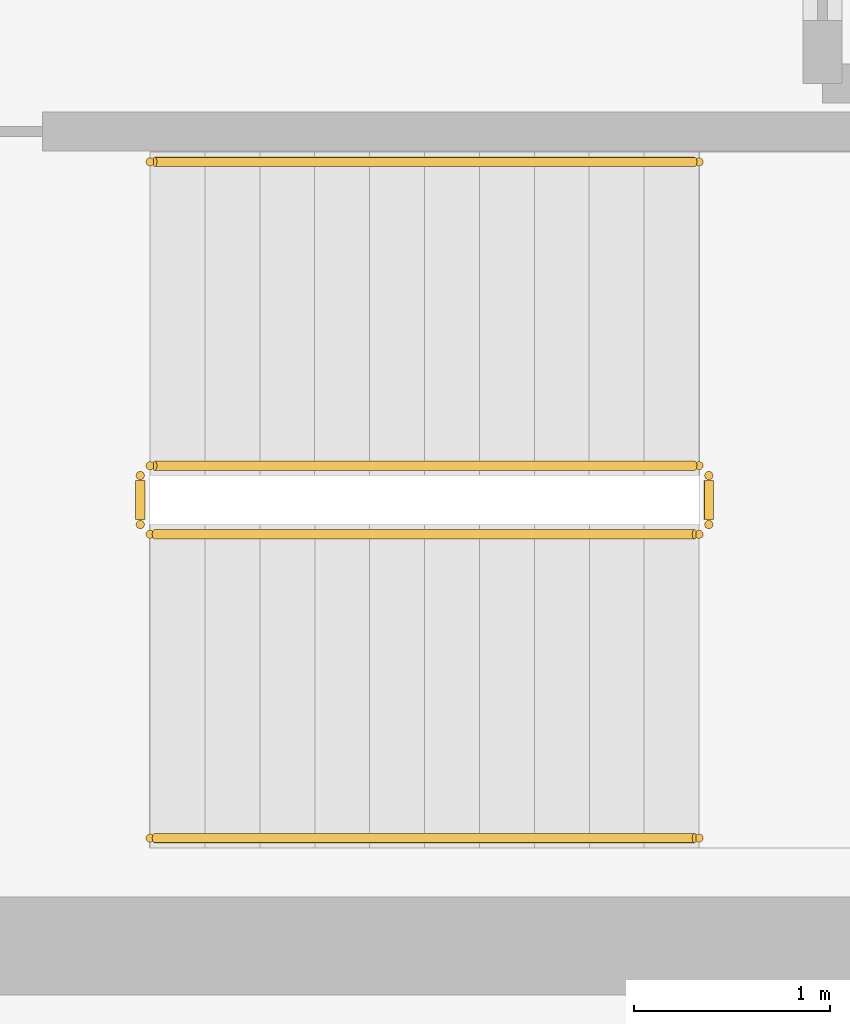
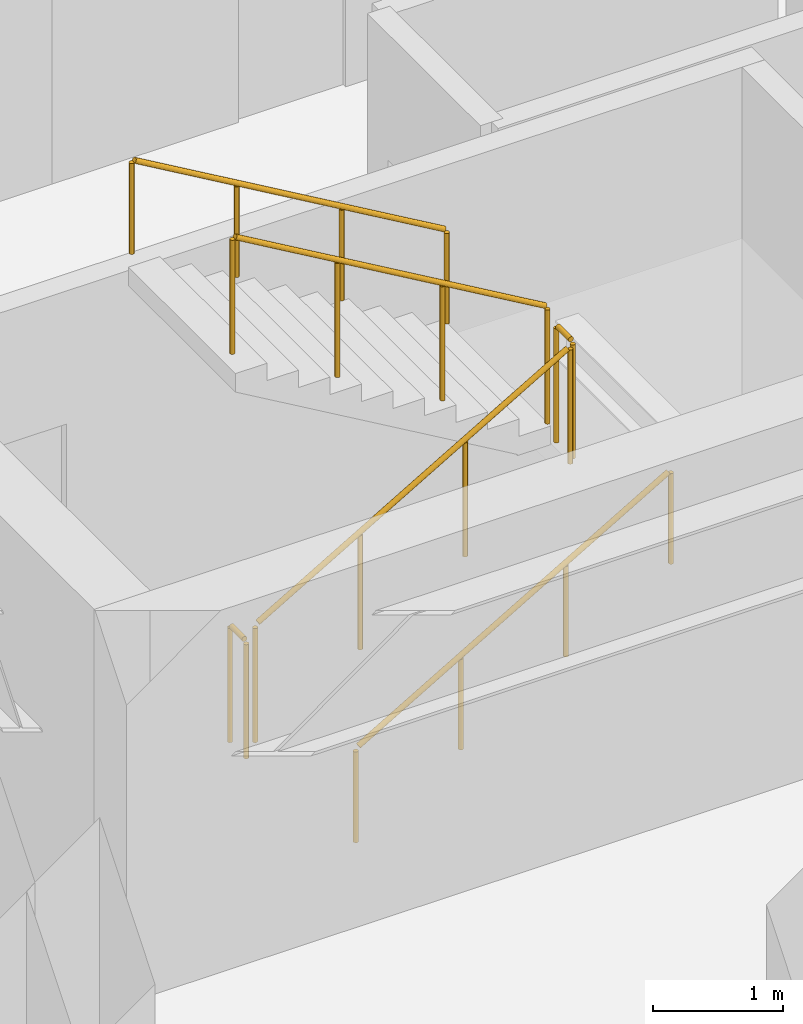
# One storey, part 12 of 12: 6 railings.
"""IFC4 building model written with IfcOpenShell, lengths in metres."""

from ifc_helpers import new_model, si_unit, direction, frame, origin, origin_2d, place, context, subcontext, project, spatial, circle, extrude, source, transform, mapped, material, layer, layer_set, type_object, element, save


model = new_model("IFC4")

# Units and contexts
model_context = context("Model", 3, precision=1e-05, world=origin(), true_north=direction((0.0, 1.0)))
body_context = subcontext(model_context, "Body", "Model", "MODEL_VIEW")
ifc_project = project(units=[si_unit("LENGTHUNIT", "METRE"), si_unit("AREAUNIT", "SQUARE_METRE"), si_unit("VOLUMEUNIT", "CUBIC_METRE"), si_unit("PLANEANGLEUNIT", "RADIAN"), si_unit("MASSUNIT", "GRAM", prefix="KILO")], contexts=[model_context])

# Site, building, storey
site_placement = place(None, origin())
site = spatial("IfcSite", under=ifc_project, at=site_placement, CompositionType="ELEMENT")
building_placement = place(site_placement, origin())
building = spatial("IfcBuilding", under=site, at=building_placement, Name="Kharzan Plaza Tower", CompositionType="ELEMENT")
storey_placement = place(building_placement, frame((0.0, 0.0, 248.39990234375)))
storey = spatial("IfcBuildingStorey", under=building, at=storey_placement, Name="L67", CompositionType="ELEMENT", Elevation=248.39990234375)

# Railings
ifc_material_1 = material(Name="Painted Galvanized Architectural Steel", Category="steel")
ifc_layer_1 = layer(ifc_material_1, 0.074951171875)
ifc_layer_set_1 = layer_set([ifc_layer_1], Name="Painted Galvanized Architectural Steel")
railing_type_1 = type_object("IfcRailingType", Name="RL-GUARD-1120", PredefinedType="BALUSTRADE", material=ifc_layer_set_1)
shared_shape_1 = source(origin(), body_context, "Body", "SweptSolid", [
    extrude(circle(Radius=0.02392578125, at=origin_2d()), frame((0.0, 0.0263671875, 1.09619140625), z_axis=(0.0, 1.0, 0.0), x_axis=(-1.0, 0.0, 0.0)), (0.0, 0.0, 1.0), 0.197021484375),
    extrude(circle(Radius=0.02099609375, at=origin_2d()), origin(), (0.0, 0.0, 1.0), 1.072021484375),
    extrude(circle(Radius=0.02099609375, at=origin_2d()), frame((0.0, 0.25, 0.0)), (0.0, 0.0, 1.0), 1.072021484375),
])
for number, where, name in (
    (1, (41.10009765625, 6.64990234375, 1.800048828125), "L67 ST-3 stair guard 2"),
    (2, (38.199951171875, 6.64990234375, 0.0), "L67 ST-3 stair guard 4"),
):
    element("IfcRailing", number, at=place(storey_placement, frame(where)), inside=storey, type_object=railing_type_1, Name=name, PredefinedType="BALUSTRADE", context=body_context, shape_type="MappedRepresentation", body=[
        mapped(shared_shape_1, transform((0.0, 0.0, 0.0), x_axis=(1.0, 0.0, 0.0), y_axis=(0.0, 1.0, 0.0), z_axis=(0.0, 0.0, 1.0))),
    ])
shared_shape_2 = source(origin(), body_context, "Body", "SweptSolid", [
    extrude(circle(Radius=0.02392578125, at=origin_2d()), frame((-0.02294921875, 0.0, 1.109375), z_axis=(-0.863360870873, 0.0, 0.504586966384), x_axis=(0.0, -1.0, 0.0)), (0.0, 0.0, 1.0), 3.190185546875),
    extrude(circle(Radius=0.02099609375, at=origin_2d()), origin(), (0.0, 0.0, 1.0), 1.072021484375),
    extrude(circle(Radius=0.02099609375, at=origin_2d()), frame((-0.933349609375, 0.0, 0.54541015625)), (0.0, 0.0, 1.0), 1.072021484375),
    extrude(circle(Radius=0.02099609375, at=origin_2d()), frame((-1.86669921875, 0.0, 1.091064453125)), (0.0, 0.0, 1.0), 1.072021484375),
    extrude(circle(Radius=0.02099609375, at=origin_2d()), frame((-2.800048828125, 0.0, 1.636474609375)), (0.0, 0.0, 1.0), 1.072021484375),
])
railing_1_placement = place(storey_placement, frame((41.050048828125, 6.949951171875, 1.963623046875)))
element("IfcRailing", 3, at=railing_1_placement, inside=storey, type_object=railing_type_1, Name="L67 ST-3 stair guard 3", PredefinedType="BALUSTRADE", context=body_context, shape_type="MappedRepresentation", body=[
    mapped(shared_shape_2, transform((0.0, 0.0, 0.0), x_axis=(1.0, 0.0, 0.0), y_axis=(0.0, 1.0, 0.0), z_axis=(0.0, 0.0, 1.0))),
])
ifc_material_2 = material(Name="Brushed Stainless Steel", Category="steel")
ifc_layer_2 = layer(ifc_material_2, 0.050048828125)
ifc_layer_set_2 = layer_set([ifc_layer_2], Name="Brushed Stainless Steel")
railing_type_2 = type_object("IfcRailingType", Name="RL-STAIR-HR920", PredefinedType="HANDRAIL", material=ifc_layer_set_2)
shared_shape_3 = source(origin(), body_context, "Body", "SweptSolid", [
    extrude(circle(Radius=0.02392578125, at=origin_2d()), frame((-0.02294921875, 0.0, 0.88916015625), z_axis=(-0.863360870873, 0.0, 0.504586966384), x_axis=(0.0, -1.0, 0.0)), (0.0, 0.0, 1.0), 3.190185546875),
    extrude(circle(Radius=0.02099609375, at=origin_2d()), origin(), (0.0, 0.0, 1.0), 0.851806640625),
    extrude(circle(Radius=0.02099609375, at=origin_2d()), frame((-0.933349609375, 0.0, 0.54541015625)), (0.0, 0.0, 1.0), 0.851806640625),
    extrude(circle(Radius=0.02099609375, at=origin_2d()), frame((-1.86669921875, 0.0, 1.091064453125)), (0.0, 0.0, 1.0), 0.851806640625),
    extrude(circle(Radius=0.02099609375, at=origin_2d()), frame((-2.800048828125, 0.0, 1.636474609375)), (0.0, 0.0, 1.0), 0.851806640625),
])
railing_2_placement = place(storey_placement, frame((41.050048828125, 8.5, 1.963623046875)))
element("IfcRailing", 4, at=railing_2_placement, inside=storey, type_object=railing_type_2, Name="L67 ST-3 stair handrail 2", PredefinedType="HANDRAIL", context=body_context, shape_type="MappedRepresentation", body=[
    mapped(shared_shape_3, transform((0.0, 0.0, 0.0), x_axis=(1.0, 0.0, 0.0), y_axis=(0.0, 1.0, 0.0), z_axis=(0.0, 0.0, 1.0))),
])
shared_shape_4 = source(origin(), body_context, "Body", "SweptSolid", [
    extrude(circle(Radius=0.02392578125, at=origin_2d()), frame((0.02294921875, 0.0, 1.109375), z_axis=(0.863393664356, 0.0, 0.504530851732), x_axis=(0.0, 1.0, 0.0)), (0.0, 0.0, 1.0), 3.190185546875),
    extrude(circle(Radius=0.02099609375, at=origin_2d()), origin(), (0.0, 0.0, 1.0), 1.072021484375),
    extrude(circle(Radius=0.02099609375, at=origin_2d()), frame((0.933349609375, 0.0, 0.54541015625)), (0.0, 0.0, 1.0), 1.072021484375),
    extrude(circle(Radius=0.02099609375, at=origin_2d()), frame((1.86669921875, 0.0, 1.0908203125)), (0.0, 0.0, 1.0), 1.072021484375),
    extrude(circle(Radius=0.02099609375, at=origin_2d()), frame((2.800048828125, 0.0, 1.63623046875)), (0.0, 0.0, 1.0), 1.072021484375),
])
railing_3_placement = place(storey_placement, frame((38.25, 6.60009765625, 0.163818359375)))
element("IfcRailing", 5, at=railing_3_placement, inside=storey, type_object=railing_type_1, Name="L67 ST-3 stair guard 1", PredefinedType="BALUSTRADE", context=body_context, shape_type="MappedRepresentation", body=[
    mapped(shared_shape_4, transform((0.0, 0.0, 0.0), x_axis=(1.0, 0.0, 0.0), y_axis=(0.0, 1.0, 0.0), z_axis=(0.0, 0.0, 1.0))),
])
shared_shape_5 = source(origin(), body_context, "Body", "SweptSolid", [
    extrude(circle(Radius=0.02392578125, at=origin_2d()), frame((0.02294921875, 0.0, 0.88916015625), z_axis=(0.863393664356, 0.0, 0.504530851732), x_axis=(0.0, 1.0, 0.0)), (0.0, 0.0, 1.0), 3.190185546875),
    extrude(circle(Radius=0.02099609375, at=origin_2d()), origin(), (0.0, 0.0, 1.0), 0.851806640625),
    extrude(circle(Radius=0.02099609375, at=origin_2d()), frame((0.933349609375, 0.0, 0.54541015625)), (0.0, 0.0, 1.0), 0.851806640625),
    extrude(circle(Radius=0.02099609375, at=origin_2d()), frame((1.86669921875, 0.0, 1.0908203125)), (0.0, 0.0, 1.0), 0.851806640625),
    extrude(circle(Radius=0.02099609375, at=origin_2d()), frame((2.800048828125, 0.0, 1.63623046875)), (0.0, 0.0, 1.0), 0.851806640625),
])
railing_4_placement = place(storey_placement, frame((38.25, 5.050048828125, 0.163818359375)))
element("IfcRailing", 6, at=railing_4_placement, inside=storey, type_object=railing_type_2, Name="L67 ST-3 stair handrail 1", PredefinedType="HANDRAIL", context=body_context, shape_type="MappedRepresentation", body=[
    mapped(shared_shape_5, transform((0.0, 0.0, 0.0), x_axis=(1.0, 0.0, 0.0), y_axis=(0.0, 1.0, 0.0), z_axis=(0.0, 0.0, 1.0))),
])

save(model, "model.ifc")
